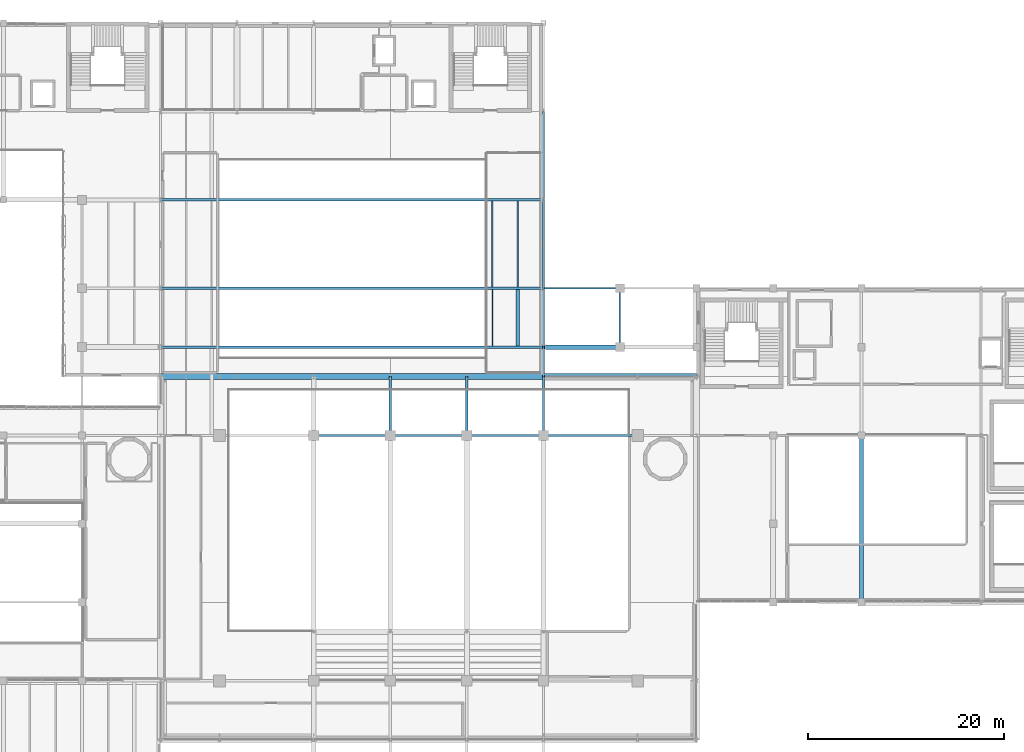
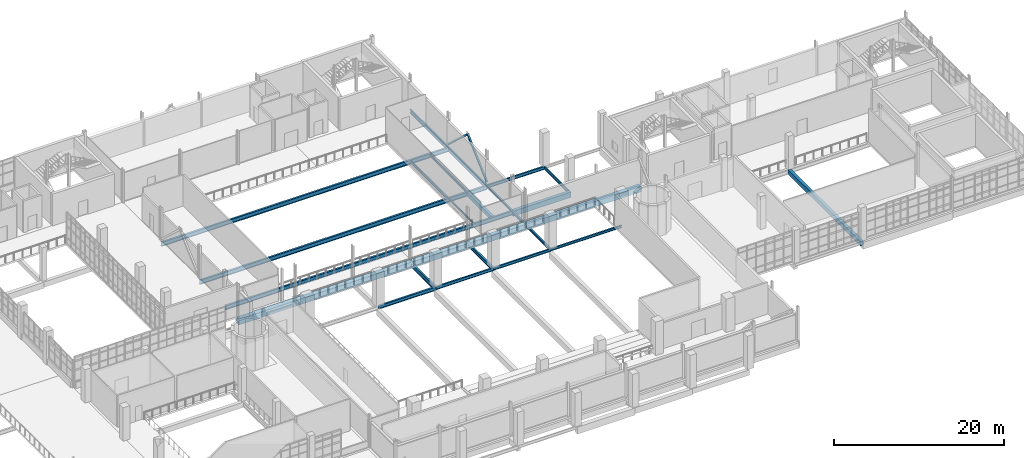
# One storey, part 44 of 102: 23 beams, 2 members.
"""IFC4 building model written with IfcOpenShell, lengths in metres."""

from ifc_helpers import new_model, si_unit, derived_unit, direction, frame, origin, origin_2d, place, context, subcontext, project, spatial, rectangle, hollow_rectangle, i_section, extrude, material, material_profile, profile_set, type_object, element, save


model = new_model("IFC4")

# Units and contexts
model_context = context("Model", 3, precision=1e-05, world=origin(), true_north=direction((0.0, 1.0)))
body_context = subcontext(model_context, "Body", "Model", "MODEL_VIEW")
ifc_project = project(units=[si_unit("LENGTHUNIT", "METRE"), si_unit("AREAUNIT", "SQUARE_METRE"), si_unit("VOLUMEUNIT", "CUBIC_METRE"), si_unit("PLANEANGLEUNIT", "RADIAN"), si_unit("MASSUNIT", "GRAM", prefix="KILO"), derived_unit("THERMALTRANSMITTANCEUNIT", [(si_unit("POWERUNIT", "WATT"), 1), (si_unit("LENGTHUNIT", "METRE"), -2), (si_unit("THERMODYNAMICTEMPERATUREUNIT", "KELVIN"), -1)])], contexts=[model_context])

# Site, building, storey
site_placement = place(None, origin())
site = spatial("IfcSite", under=ifc_project, at=site_placement, CompositionType="ELEMENT")
building_placement = place(site_placement, origin())
building = spatial("IfcBuilding", under=site, at=building_placement, Name="Nallur Shell Playhouse", CompositionType="ELEMENT")
storey_placement = place(building_placement, frame((0.0, 0.0, 15.0)))
storey = spatial("IfcBuildingStorey", under=building, at=storey_placement, Name="L04", CompositionType="ELEMENT", Elevation=15.0)

# Beams
ifc_material_1 = material(Name="Steel E250", Category="steel")
ifc_material_profile_1 = material_profile(ifc_material_1, i_section(OverallWidth=0.110107421875, OverallDepth=0.22509765625, WebThickness=0.006591796875, FlangeThickness=0.01171875, FilletRadius=0.011962890625, at=origin_2d()), Name="ISMB 225")
ifc_profile_set_1 = profile_set([ifc_material_profile_1], Name="Steel E250")
beam_type_1 = type_object("IfcBeamType", Name="BM-JST-ISMB225", PredefinedType="JOIST", material=ifc_profile_set_1)
beam_1_placement = place(storey_placement, frame((97.800048828125, 50.123046875, -0.37255859375), z_axis=(0.0, 1.0, 0.0), x_axis=(-1.0, 0.0, 0.0)))
element("IfcBeam", 1, at=beam_1_placement, inside=storey, type_object=beam_type_1, Name="L04 secondary joist 12-F-923", PredefinedType="JOIST", context=body_context, shape_type="SweptSolid", body=[
    extrude(i_section(OverallWidth=0.110107421875, OverallDepth=0.22509765625, WebThickness=0.006591796875, FlangeThickness=0.01171875, FilletRadius=0.011962890625, at=origin_2d()), origin(), (0.0, 0.0, 1.0), 5.75390625),
])
ifc_material_profile_2 = material_profile(ifc_material_1, i_section(OverallWidth=0.139892578125, OverallDepth=0.35009765625, WebThickness=0.008056640625, FlangeThickness=0.01416015625, FilletRadius=0.013916015625, at=origin_2d()), Name="ISMB 350")
ifc_profile_set_2 = profile_set([ifc_material_profile_2], Name="Steel E250")
beam_type_2 = type_object("IfcBeamType", Name="BM-JST-ISMB350", PredefinedType="JOIST", material=ifc_profile_set_2)
beam_2_placement = place(storey_placement, frame((100.39990234375, 56.123046875, -0.43505859375), z_axis=(0.0, 1.0, 0.0), x_axis=(-1.0, 0.0, 0.0)))
element("IfcBeam", 2, at=beam_2_placement, inside=storey, type_object=beam_type_2, Name="L04 secondary joist 12-G-926", PredefinedType="JOIST", context=body_context, shape_type="SweptSolid", body=[
    extrude(i_section(OverallWidth=0.139892578125, OverallDepth=0.35009765625, WebThickness=0.008056640625, FlangeThickness=0.01416015625, FilletRadius=0.013916015625, at=origin_2d()), origin(), (0.0, 0.0, 1.0), 8.75390625),
])
ifc_material_profile_3 = material_profile(ifc_material_1, i_section(OverallWidth=0.139892578125, OverallDepth=0.39990234375, WebThickness=0.0087890625, FlangeThickness=0.01611328125, FilletRadius=0.013916015625, at=origin_2d()), Name="ISMB 400")
ifc_profile_set_3 = profile_set([ifc_material_profile_3], Name="Steel E250")
beam_type_3 = type_object("IfcBeamType", Name="BM-JST-ISMB400", PredefinedType="JOIST", material=ifc_profile_set_3)
beam_3_placement = place(storey_placement, frame((97.800048828125, 56.123046875, -0.4599609375), z_axis=(0.0, 1.0, 0.0), x_axis=(-1.0, 0.0, 0.0)))
element("IfcBeam", 3, at=beam_3_placement, inside=storey, type_object=beam_type_3, Name="L04 secondary joist 12-G-925", PredefinedType="JOIST", context=body_context, shape_type="SweptSolid", body=[
    extrude(i_section(OverallWidth=0.139892578125, OverallDepth=0.39990234375, WebThickness=0.0087890625, FlangeThickness=0.01611328125, FilletRadius=0.013916015625, at=origin_2d()), origin(), (0.0, 0.0, 1.0), 8.75390625),
])
ifc_material_2 = material(Name="Concrete M30", Category="concrete")
ifc_material_profile_4 = material_profile(ifc_material_2, rectangle(XDim=0.35009765625, YDim=0.60009765625, at=origin_2d()), Name="RC 350x600")
ifc_profile_set_4 = profile_set([ifc_material_profile_4], Name="Concrete M30")
beam_type_4 = type_object("IfcBeamType", Name="BM-RC-350x600", PredefinedType="JOIST", material=ifc_profile_set_4)
beam_4_placement = place(storey_placement, frame((100.39990234375, 50.123046875, -0.56005859375), z_axis=(0.0, 1.0, 0.0), x_axis=(-1.0, 0.0, 0.0)))
element("IfcBeam", 4, at=beam_4_placement, inside=storey, type_object=beam_type_4, Name="L04 secondary joist 12-F-924", PredefinedType="JOIST", context=body_context, shape_type="SweptSolid", body=[
    extrude(rectangle(XDim=0.35009765625, YDim=0.60009765625, at=origin_2d()), origin(), (0.0, 0.0, 1.0), 5.75390625),
])
ifc_material_3 = material(Name="Concrete M35", Category="concrete")
ifc_material_profile_5 = material_profile(ifc_material_3, rectangle(XDim=0.39990234375, YDim=0.64990234375, at=origin_2d()), Name="RC 400x650")
ifc_profile_set_5 = profile_set([ifc_material_profile_5], Name="Concrete M35")
beam_type_5 = type_object("IfcBeamType", Name="BM-RC-400x650", PredefinedType="BEAM", material=ifc_profile_set_5)
beam_5_placement = place(storey_placement, frame((135.39990234375, 24.0, -0.5849609375), z_axis=(0.0, 1.0, 0.0), x_axis=(-1.0, 0.0, 0.0)))
element("IfcBeam", 5, at=beam_5_placement, inside=storey, type_object=beam_type_5, Name="L04 girder Y-17-863", PredefinedType="BEAM", context=body_context, shape_type="SweptSolid", body=[
    extrude(rectangle(XDim=0.39990234375, YDim=0.64990234375, at=origin_2d()), origin(), (0.0, 0.0, 1.0), 17.0),
])
ifc_material_profile_6 = material_profile(ifc_material_3, rectangle(XDim=0.449951171875, YDim=0.75, at=origin_2d()), Name="RC 450x750")
ifc_profile_set_6 = profile_set([ifc_material_profile_6], Name="Concrete M35")
beam_type_6 = type_object("IfcBeamType", Name="BM-RC-450x750", PredefinedType="BEAM", material=ifc_profile_set_6)
beam_6_placement = place(storey_placement, frame((103.0, 50.0, -0.635009765625), z_axis=(1.0, 0.0, 0.0), x_axis=(0.0, 1.0, 0.0)))
element("IfcBeam", 6, at=beam_6_placement, inside=storey, type_object=beam_type_6, Name="L04 girder X-F-782", PredefinedType="BEAM", context=body_context, shape_type="SweptSolid", body=[
    extrude(rectangle(XDim=0.449951171875, YDim=0.75, at=origin_2d()), origin(), (0.0, 0.0, 1.0), 7.800048828125),
])
ifc_material_4 = material(Name="Steel E350", Category="steel")
ifc_material_profile_7 = material_profile(ifc_material_4, i_section(OverallWidth=0.14990234375, OverallDepth=0.449951171875, WebThickness=0.009521484375, FlangeThickness=0.017333984375, FilletRadius=0.014892578125, at=origin_2d()), Name="ISMB 450")
ifc_profile_set_7 = profile_set([ifc_material_profile_7], Name="Steel E350")
beam_type_7 = type_object("IfcBeamType", Name="BM-ST-ISMB450", PredefinedType="BEAM", material=ifc_profile_set_7)
beam_7_placement = place(storey_placement, frame((110.800048828125, 50.0, -0.485107421875), z_axis=(0.0, 1.0, 0.0), x_axis=(-1.0, 0.0, 0.0)))
element("IfcBeam", 7, at=beam_7_placement, inside=storey, type_object=beam_type_7, Name="L04 girder Y-14-859", PredefinedType="BEAM", context=body_context, shape_type="SweptSolid", body=[
    extrude(i_section(OverallWidth=0.14990234375, OverallDepth=0.449951171875, WebThickness=0.009521484375, FlangeThickness=0.017333984375, FilletRadius=0.014892578125, at=origin_2d()), origin(), (0.0, 0.0, 1.0), 6.0),
])
ifc_material_profile_8 = material_profile(ifc_material_4, i_section(OverallWidth=0.18994140625, OverallDepth=0.550048828125, WebThickness=0.01123046875, FlangeThickness=0.019287109375, FilletRadius=0.01806640625, at=origin_2d()), Name="ISMB 550")
ifc_profile_set_8 = profile_set([ifc_material_profile_8], Name="Steel E350")
beam_type_8 = type_object("IfcBeamType", Name="BM-ST-ISMB550", PredefinedType="BEAM", material=ifc_profile_set_8)
beam_8_placement = place(storey_placement, frame((103.0, 65.0, -0.534912109375), z_axis=(0.0, 1.0, 0.0), x_axis=(-1.0, 0.0, 0.0)))
element("IfcBeam", 8, at=beam_8_placement, inside=storey, type_object=beam_type_8, Name="L04 girder Y-13-857", PredefinedType="BEAM", context=body_context, shape_type="SweptSolid", body=[
    extrude(i_section(OverallWidth=0.18994140625, OverallDepth=0.550048828125, WebThickness=0.01123046875, FlangeThickness=0.019287109375, FilletRadius=0.01806640625, at=origin_2d()), origin(), (0.0, 0.0, 1.0), 9.0),
])
ifc_material_profile_9 = material_profile(ifc_material_4, i_section(OverallWidth=0.2099609375, OverallDepth=0.60009765625, WebThickness=0.011962890625, FlangeThickness=0.020751953125, FilletRadius=0.02001953125, at=origin_2d()), Name="ISMB 600")
ifc_profile_set_9 = profile_set([ifc_material_profile_9], Name="Steel E350")
beam_type_9 = type_object("IfcBeamType", Name="BM-ST-ISMB600", PredefinedType="BEAM", material=ifc_profile_set_9)
beam_9_placement = place(storey_placement, frame((103.0, 56.0, -0.56005859375), z_axis=(0.0, 1.0, 0.0), x_axis=(-1.0, 0.0, 0.0)))
element("IfcBeam", 9, at=beam_9_placement, inside=storey, type_object=beam_type_9, Name="L04 girder Y-13-856", PredefinedType="BEAM", context=body_context, shape_type="SweptSolid", body=[
    extrude(i_section(OverallWidth=0.2099609375, OverallDepth=0.60009765625, WebThickness=0.011962890625, FlangeThickness=0.020751953125, FilletRadius=0.02001953125, at=origin_2d()), origin(), (0.0, 0.0, 1.0), 9.0),
])
ifc_material_profile_10 = material_profile(ifc_material_1, i_section(OverallWidth=0.199951171875, OverallDepth=0.300048828125, WebThickness=0.00732421875, FlangeThickness=0.010009765625, FilletRadius=0.010986328125, at=origin_2d()), Name="ISWB 300")
ifc_profile_set_10 = profile_set([ifc_material_profile_10], Name="Steel E250")
beam_type_10 = type_object("IfcBeamType", Name="BM-ST-ISWB300", PredefinedType="BEAM", material=ifc_profile_set_10)
beam_10_placement = place(storey_placement, frame((103.0, 50.0, -0.409912109375), z_axis=(0.0, 1.0, 0.0), x_axis=(-1.0, 0.0, 0.0)))
element("IfcBeam", 10, at=beam_10_placement, inside=storey, type_object=beam_type_10, Name="L04 girder Y-13-855", PredefinedType="BEAM", context=body_context, shape_type="SweptSolid", body=[
    extrude(i_section(OverallWidth=0.199951171875, OverallDepth=0.300048828125, WebThickness=0.00732421875, FlangeThickness=0.010009765625, FilletRadius=0.010986328125, at=origin_2d()), origin(), (0.0, 0.0, 1.0), 6.0),
])
ifc_material_profile_11 = material_profile(ifc_material_4, i_section(OverallWidth=0.199951171875, OverallDepth=0.35009765625, WebThickness=0.008056640625, FlangeThickness=0.011474609375, FilletRadius=0.011962890625, at=origin_2d()), Name="ISWB 350")
ifc_profile_set_11 = profile_set([ifc_material_profile_11], Name="Steel E350")
beam_type_11 = type_object("IfcBeamType", Name="BM-ST-ISWB350", PredefinedType="BEAM", material=ifc_profile_set_11)
beam_11_placement = place(storey_placement, frame((103.0, 41.0, -0.43505859375), z_axis=(1.0, 0.0, 0.0), x_axis=(0.0, 1.0, 0.0)))
element("IfcBeam", 11, at=beam_11_placement, inside=storey, type_object=beam_type_11, Name="L04 girder X-E-774", PredefinedType="BEAM", context=body_context, shape_type="SweptSolid", body=[
    extrude(i_section(OverallWidth=0.199951171875, OverallDepth=0.35009765625, WebThickness=0.008056640625, FlangeThickness=0.011474609375, FilletRadius=0.011962890625, at=origin_2d()), origin(), (0.0, 0.0, 1.0), 9.60009765625),
])
beam_12_placement = place(storey_placement, frame((103.0, 47.0, -0.43505859375), z_axis=(0.0, 1.0, 0.0), x_axis=(-1.0, 0.0, 0.0)))
element("IfcBeam", 12, at=beam_12_placement, inside=storey, type_object=beam_type_11, Name="L04 girder Y-13-854", PredefinedType="BEAM", context=body_context, shape_type="SweptSolid", body=[
    extrude(i_section(OverallWidth=0.199951171875, OverallDepth=0.35009765625, WebThickness=0.008056640625, FlangeThickness=0.011474609375, FilletRadius=0.011962890625, at=origin_2d()), origin(), (0.0, 0.0, 1.0), 3.0),
])
ifc_material_profile_12 = material_profile(ifc_material_4, i_section(OverallWidth=0.199951171875, OverallDepth=0.39990234375, WebThickness=0.008544921875, FlangeThickness=0.012939453125, FilletRadius=0.012939453125, at=origin_2d()), Name="ISWB 400")
ifc_profile_set_12 = profile_set([ifc_material_profile_12], Name="Steel E350")
beam_type_12 = type_object("IfcBeamType", Name="BM-ST-ISWB400", PredefinedType="BEAM", material=ifc_profile_set_12)
beam_13_placement = place(storey_placement, frame((95.199951171875, 41.0, -0.4599609375), z_axis=(1.0, 0.0, 0.0), x_axis=(0.0, 1.0, 0.0)))
element("IfcBeam", 13, at=beam_13_placement, inside=storey, type_object=beam_type_12, Name="L04 girder X-E-773", PredefinedType="BEAM", context=body_context, shape_type="SweptSolid", body=[
    extrude(i_section(OverallWidth=0.199951171875, OverallDepth=0.39990234375, WebThickness=0.008544921875, FlangeThickness=0.012939453125, FilletRadius=0.012939453125, at=origin_2d()), origin(), (0.0, 0.0, 1.0), 7.800048828125),
])
beam_14_placement = place(storey_placement, frame((103.0, 41.0, -0.4599609375), z_axis=(0.0, 1.0, 0.0), x_axis=(-1.0, 0.0, 0.0)))
element("IfcBeam", 14, at=beam_14_placement, inside=storey, type_object=beam_type_12, Name="L04 girder Y-13-853", PredefinedType="BEAM", context=body_context, shape_type="SweptSolid", body=[
    extrude(i_section(OverallWidth=0.199951171875, OverallDepth=0.39990234375, WebThickness=0.008544921875, FlangeThickness=0.012939453125, FilletRadius=0.012939453125, at=origin_2d()), origin(), (0.0, 0.0, 1.0), 6.0),
])
ifc_material_profile_13 = material_profile(ifc_material_4, i_section(OverallWidth=0.199951171875, OverallDepth=0.449951171875, WebThickness=0.00927734375, FlangeThickness=0.015380859375, FilletRadius=0.013916015625, at=origin_2d()), Name="ISWB 450")
ifc_profile_set_13 = profile_set([ifc_material_profile_13], Name="Steel E350")
beam_type_13 = type_object("IfcBeamType", Name="BM-ST-ISWB450", PredefinedType="BEAM", material=ifc_profile_set_13)
for number, where, z_axis, x_axis, name in (
    (15, (87.39990234375, 41.0, -0.485107421875), (1.0, 0.0, 0.0), (0.0, 1.0, 0.0), "L04 girder X-E-772"),
    (16, (103.0, 56.0, -0.485107421875), (1.0, 0.0, 0.0), (0.0, 1.0, 0.0), "L04 girder X-G-788"),
):
    element("IfcBeam", number, at=place(storey_placement, frame(where, z_axis=z_axis, x_axis=x_axis)), inside=storey, type_object=beam_type_13, Name=name, PredefinedType="BEAM", context=body_context, shape_type="SweptSolid", body=[
        extrude(i_section(OverallWidth=0.199951171875, OverallDepth=0.449951171875, WebThickness=0.00927734375, FlangeThickness=0.015380859375, FilletRadius=0.013916015625, at=origin_2d()), origin(), (0.0, 0.0, 1.0), 7.800048828125),
    ])
ifc_material_profile_14 = material_profile(ifc_material_4, i_section(OverallWidth=0.25, OverallDepth=0.5, WebThickness=0.010009765625, FlangeThickness=0.0146484375, FilletRadius=0.014892578125, at=origin_2d()), Name="ISWB 500")
ifc_profile_set_14 = profile_set([ifc_material_profile_14], Name="Steel E350")
beam_type_14 = type_object("IfcBeamType", Name="BM-ST-ISWB500", PredefinedType="BEAM", material=ifc_profile_set_14)
beam_15_placement = place(storey_placement, frame((79.60009765625, 41.0, -0.510009765625), z_axis=(1.0, 0.0, 0.0), x_axis=(0.0, 1.0, 0.0)))
element("IfcBeam", 17, at=beam_15_placement, inside=storey, type_object=beam_type_14, Name="L04 girder X-E-771", PredefinedType="BEAM", context=body_context, shape_type="SweptSolid", body=[
    extrude(i_section(OverallWidth=0.25, OverallDepth=0.5, WebThickness=0.010009765625, FlangeThickness=0.0146484375, FilletRadius=0.014892578125, at=origin_2d()), origin(), (0.0, 0.0, 1.0), 7.7998046875),
])
beam_16_placement = place(storey_placement, frame((95.199951171875, 41.0, -0.510009765625), z_axis=(0.0, 1.0, 0.0), x_axis=(-1.0, 0.0, 0.0)))
element("IfcBeam", 18, at=beam_16_placement, inside=storey, type_object=beam_type_14, Name="L04 girder Y-12-851", PredefinedType="BEAM", context=body_context, shape_type="SweptSolid", body=[
    extrude(i_section(OverallWidth=0.25, OverallDepth=0.5, WebThickness=0.010009765625, FlangeThickness=0.0146484375, FilletRadius=0.014892578125, at=origin_2d()), origin(), (0.0, 0.0, 1.0), 6.0),
])
ifc_material_profile_15 = material_profile(ifc_material_4, i_section(OverallWidth=0.25, OverallDepth=0.60009765625, WebThickness=0.01171875, FlangeThickness=0.023681640625, FilletRadius=0.01708984375, at=origin_2d()), Name="ISWB 600")
ifc_profile_set_15 = profile_set([ifc_material_profile_15], Name="Steel E350")
beam_type_15 = type_object("IfcBeamType", Name="BM-ST-ISWB600", PredefinedType="BEAM", material=ifc_profile_set_15)
beam_17_placement = place(storey_placement, frame((87.39990234375, 41.0, -0.56005859375), z_axis=(0.0, 1.0, 0.0), x_axis=(-1.0, 0.0, 0.0)))
element("IfcBeam", 19, at=beam_17_placement, inside=storey, type_object=beam_type_15, Name="L04 girder Y-11-849", PredefinedType="BEAM", context=body_context, shape_type="SweptSolid", body=[
    extrude(i_section(OverallWidth=0.25, OverallDepth=0.60009765625, WebThickness=0.01171875, FlangeThickness=0.023681640625, FilletRadius=0.01708984375, at=origin_2d()), origin(), (0.0, 0.0, 1.0), 6.0),
])
for number, where, z_axis, x_axis, name in (
    (20, (64.0, 50.0, -0.56005859375), (1.0, 0.0, 0.0), (0.0, 1.0, 0.0), "L04 long-span hall girder Y=50.0-875"),
    (21, (64.0, 56.0, -0.56005859375), (1.0, 0.0, 0.0), (0.0, 1.0, 0.0), "L04 long-span hall girder Y=56.0-876"),
    (22, (64.0, 65.0, -0.56005859375), (1.0, 0.0, 0.0), (0.0, 1.0, 0.0), "L04 long-span hall girder Y=65.0-877"),
):
    element("IfcBeam", number, at=place(storey_placement, frame(where, z_axis=z_axis, x_axis=x_axis)), inside=storey, type_object=beam_type_15, Name=name, PredefinedType="BEAM", context=body_context, shape_type="SweptSolid", body=[
        extrude(i_section(OverallWidth=0.25, OverallDepth=0.60009765625, WebThickness=0.01171875, FlangeThickness=0.023681640625, FilletRadius=0.01708984375, at=origin_2d()), origin(), (0.0, 0.0, 1.0), 39.0),
    ])
ifc_material_profile_16 = material_profile(ifc_material_4, hollow_rectangle(XDim=0.60009765625, YDim=0.800048828125, WallThickness=0.02490234375, at=origin_2d()), Name="BOX 600x800x25")
ifc_profile_set_16 = profile_set([ifc_material_profile_16], Name="Steel E350")
beam_type_16 = type_object("IfcBeamType", Name="BM-TT-CHORD", PredefinedType="BEAM", material=ifc_profile_set_16)
beam_18_placement = place(storey_placement, frame((64.0, 47.0, -0.659912109375), z_axis=(1.0, 0.0, 0.0), x_axis=(0.0, 1.0, 0.0)))
element("IfcBeam", 23, at=beam_18_placement, inside=storey, type_object=beam_type_16, Name="Gold box perimeter chord L04-N1", PredefinedType="BEAM", context=body_context, shape_type="SweptSolid", body=[
    extrude(hollow_rectangle(XDim=0.60009765625, YDim=0.800048828125, WallThickness=0.02490234375, at=origin_2d()), origin(), (0.0, 0.0, 1.0), 54.60009765625),
])

# Members
ifc_material_profile_17 = material_profile(ifc_material_4, hollow_rectangle(XDim=0.219970703125, YDim=0.219970703125, WallThickness=0.011962890625, at=origin_2d()), Name="SHS 220x220x12")
ifc_profile_set_17 = profile_set([ifc_material_profile_17], Name="Steel E350")
member_type = type_object("IfcMemberType", Name="MB-FT-BRACE2", PredefinedType="BRACE", material=ifc_profile_set_17)
for number, where, z_axis, x_axis, name in (
    (24, (103.0, 56.0, 0.14990234375), (0.0, 0.735104589398, 0.677953717186), (-1.0, 0.0, 0.0), "Stage fly tower concentric brace BR-FT-L04-027"),
    (25, (103.0, 65.0, 0.14990234375), (0.0, -0.735104589398, 0.677953717186), (1.0, 0.0, 0.0), "Stage fly tower concentric brace BR-FT-L04-028"),
):
    element("IfcMember", number, at=place(storey_placement, frame(where, z_axis=z_axis, x_axis=x_axis)), inside=storey, type_object=member_type, Name=name, PredefinedType="BRACE", context=body_context, shape_type="SweptSolid", body=[
        extrude(hollow_rectangle(XDim=0.219970703125, YDim=0.219970703125, WallThickness=0.011962890625, at=origin_2d()), origin(), (0.0, 0.0, 1.0), 6.12158203125),
    ])

save(model, "model.ifc")
